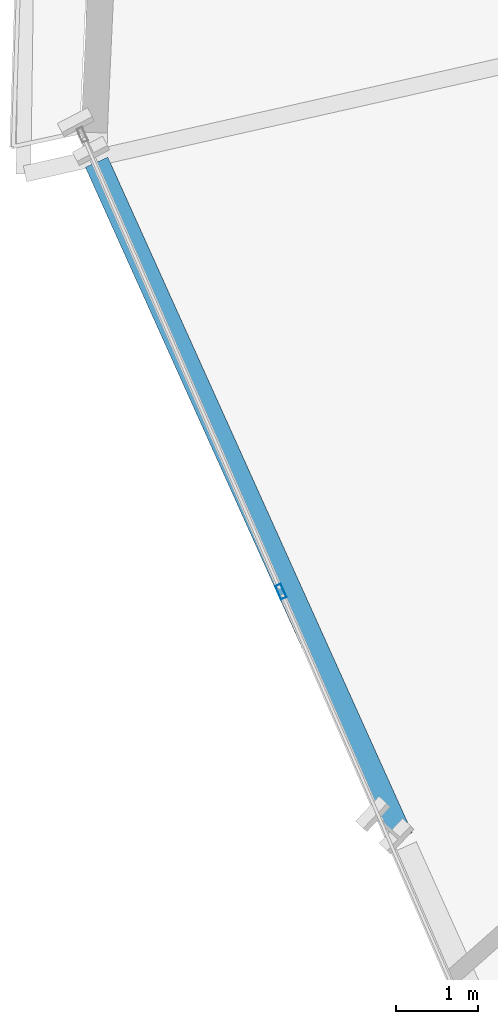
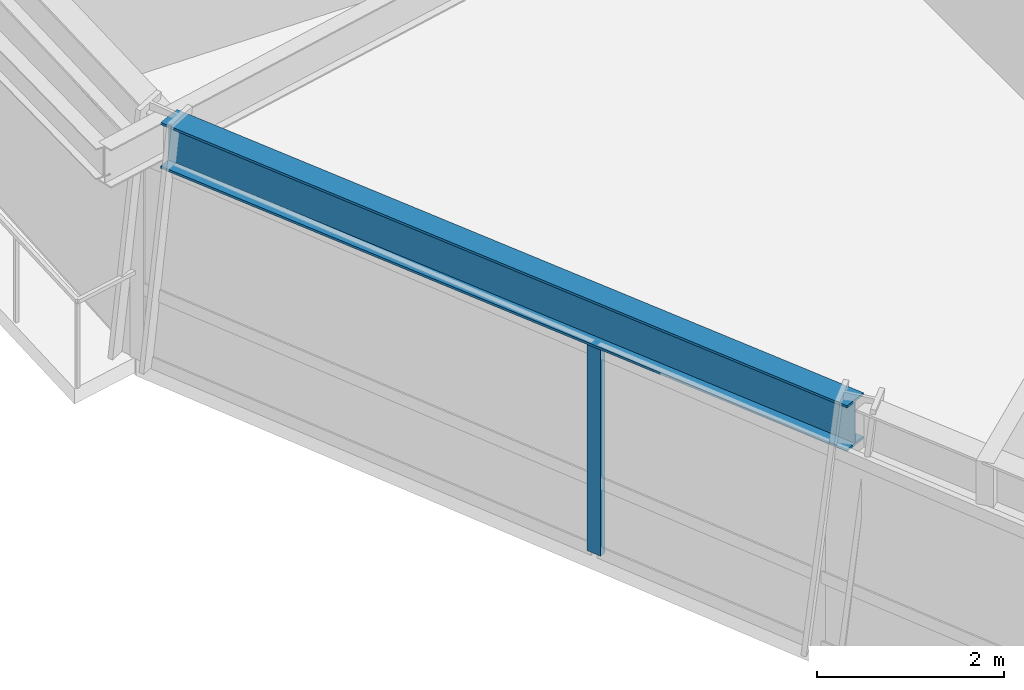
# One storey, part 4 of 19: 1 beam, 1 member, 1 element without a shape of its own.
"""IFC4 building model written with IfcOpenShell, lengths in metres."""

import ifcopenshell
import ifcopenshell.guid

model = None  # the IFC model being written
_history = None  # IfcOwnerHistory: only IFC2X3 demands one
_inside = {}  # id of a spatial element -> (the spatial element, [elements in it])
_under = {}  # id of a project, library or spatial element -> (it, [spatial elements below it])
_declared = {}  # id of a project -> (the project, [libraries it declares])
_typed = {}  # id of a type object -> (the type object, [elements of that type])
_made_of = {}  # id of a material, layer set ... -> (it, [elements and type objects made of it])


def new_model(schema):
    """Start an empty IFC model of exactly this schema.

    Asked for "IFC4X3", IfcOpenShell would pick the latest addendum, in which some entities
    have other attributes; the version numbers below select the first issue.
    IFC2X3 requires an IfcOwnerHistory on every rooted entity: one is made here for all.
    """
    global model, _history
    if schema == "IFC4X3":
        model = ifcopenshell.file(schema_version=(4, 3, 0, 0))
    else:
        model = ifcopenshell.file(schema=schema)
    _inside.clear()
    _under.clear()
    _declared.clear()
    _typed.clear()
    _made_of.clear()
    _history = None
    if model.schema == "IFC2X3":
        org = make("IfcOrganization", Name="unknown")
        user = make(
            "IfcPersonAndOrganization",
            ThePerson=make("IfcPerson", FamilyName="unknown"),
            TheOrganization=org,
        )
        app = make(
            "IfcApplication",
            ApplicationDeveloper=org,
            Version="unknown",
            ApplicationFullName="unknown",
            ApplicationIdentifier="unknown",
        )
        _history = make(
            "IfcOwnerHistory",
            OwningUser=user,
            OwningApplication=app,
            ChangeAction="ADDED",
            CreationDate=0,
        )
    return model


def make(cls, **values):
    """One entity of the class cls with the attributes given. An attribute that is None is left unset."""
    return model.create_entity(
        cls, **{name: value for name, value in values.items() if value is not None}
    )


def rooted(cls, **values):
    """An entity with a GlobalId (a new one), such as an element, a storey or a relation."""
    return make(cls, GlobalId=ifcopenshell.guid.new(), OwnerHistory=_history, **values)


def si_unit(unit_type, name, prefix=None):
    """IfcSIUnit, for example si_unit("LENGTHUNIT", "METRE", prefix="MILLI")."""
    return make("IfcSIUnit", UnitType=unit_type, Prefix=prefix, Name=name)


def assignment(units):
    """IfcUnitAssignment: the units of a project."""
    return None if units is None else make("IfcUnitAssignment", Units=units)


def point(xyz):
    """IfcCartesianPoint."""
    return None if xyz is None else make("IfcCartesianPoint", Coordinates=xyz)


def direction(xyz):
    """IfcDirection."""
    return None if xyz is None else make("IfcDirection", DirectionRatios=xyz)


def frame(location, z_axis=None, x_axis=None):
    """IfcAxis2Placement3D, a coordinate frame: its origin and axes. An axis left out is left unset."""
    return make(
        "IfcAxis2Placement3D",
        Location=point(location),
        Axis=direction(z_axis),
        RefDirection=direction(x_axis),
    )


def frame_2d(location, x_axis=None):
    """IfcAxis2Placement2D, a coordinate frame in the plane: its origin and x axis."""
    return make(
        "IfcAxis2Placement2D", Location=point(location), RefDirection=direction(x_axis)
    )


def origin():
    """The frame at (0, 0, 0) with its axes left unset."""
    return frame((0.0, 0.0, 0.0))


def origin_2d():
    """The frame at (0, 0) in the plane with its x axis left unset."""
    return frame_2d((0.0, 0.0))


def place(relative_to, where):
    """IfcLocalPlacement: puts the frame where relative to a parent placement (None: the world)."""
    return make(
        "IfcLocalPlacement", PlacementRelTo=relative_to, RelativePlacement=where
    )


def context(
    kind, dimensions, precision=None, world=None, true_north=None, identifier=None
):
    """IfcGeometricRepresentationContext, for example the 3D "Model" context."""
    return make(
        "IfcGeometricRepresentationContext",
        ContextIdentifier=identifier,
        ContextType=kind,
        CoordinateSpaceDimension=dimensions,
        Precision=precision,
        WorldCoordinateSystem=world,
        TrueNorth=true_north,
    )


def subcontext(parent, identifier, kind, view, scale=None):
    """IfcGeometricRepresentationSubContext, for example "Body" below "Model"."""
    return make(
        "IfcGeometricRepresentationSubContext",
        ContextIdentifier=identifier,
        ContextType=kind,
        ParentContext=parent,
        TargetScale=scale,
        TargetView=view,
    )


def project(units=None, contexts=None):
    """IfcProject with its units and contexts."""
    return rooted(
        "IfcProject",
        Name="project",
        RepresentationContexts=contexts,
        UnitsInContext=assignment(units),
    )


def spatial(cls, under=None, at=None, **own):
    """A site, building, storey or space (cls), placed at a placement, below another one or the project."""
    s = rooted(cls, ObjectPlacement=at, **own)
    if under is not None:
        _under.setdefault(under.id(), (under, []))[1].append(s)
    return s


def profile(cls, at=None, kind="AREA", **sizes):
    """A parametric profile (cls). Its sizes go by their IFC names, for example OverallWidth=200.0."""
    return make(cls, ProfileType=kind, Position=at, **sizes)


def hollow_rectangle(**sizes):
    """IfcRectangleHollowProfileDef."""
    return profile("IfcRectangleHollowProfileDef", **sizes)


def i_section(**sizes):
    """IfcIShapeProfileDef."""
    return profile("IfcIShapeProfileDef", **sizes)


def extrude(swept, where, along, depth):
    """IfcExtrudedAreaSolid: the profile swept, set in the frame where, extruded along a direction by depth."""
    return make(
        "IfcExtrudedAreaSolid",
        SweptArea=swept,
        Position=where,
        ExtrudedDirection=direction(along),
        Depth=depth,
    )


def shape(context_of_items, identifier, shape_type, items):
    """IfcShapeRepresentation: the items that make up one representation, for example the "Body"."""
    return make(
        "IfcShapeRepresentation",
        ContextOfItems=context_of_items,
        RepresentationIdentifier=identifier,
        RepresentationType=shape_type,
        Items=items,
    )


def source(mapping_origin, context_of_items, identifier, shape_type, items):
    """IfcRepresentationMap: a shape defined once, which mapped items show again and again."""
    return make(
        "IfcRepresentationMap",
        MappingOrigin=mapping_origin,
        MappedRepresentation=shape(context_of_items, identifier, shape_type, items),
    )


def transform(
    local_origin,
    x_axis=None,
    y_axis=None,
    z_axis=None,
    scale=None,
    scale2=None,
    scale3=None,
    uniform=True,
):
    """IfcCartesianTransformationOperator3D, or its non-uniform kind. x_axis, y_axis, z_axis: its Axis1, 2, 3."""
    if uniform:
        return make(
            "IfcCartesianTransformationOperator3D",
            Axis1=direction(x_axis),
            Axis2=direction(y_axis),
            LocalOrigin=point(local_origin),
            Scale=scale,
            Axis3=direction(z_axis),
        )
    return make(
        "IfcCartesianTransformationOperator3DnonUniform",
        Axis1=direction(x_axis),
        Axis2=direction(y_axis),
        LocalOrigin=point(local_origin),
        Scale=scale,
        Axis3=direction(z_axis),
        Scale2=scale2,
        Scale3=scale3,
    )


def mapped(mapping_source, mapping_target):
    """IfcMappedItem: shows the shape of a source again, moved by a transform."""
    return make(
        "IfcMappedItem", MappingSource=mapping_source, MappingTarget=mapping_target
    )


def material(Name=None, Category=None):
    """IfcMaterial."""
    return make("IfcMaterial", Name=Name, Category=Category)


def material_profile(
    of_material, cross_section, Name=None, Category=None, Priority=None
):
    """IfcMaterialProfile: a cross section and its material."""
    return make(
        "IfcMaterialProfile",
        Name=Name,
        Material=of_material,
        Profile=cross_section,
        Priority=Priority,
        Category=Category,
    )


def profile_set(profiles, Name=None, composite=None):
    """IfcMaterialProfileSet."""
    return make(
        "IfcMaterialProfileSet",
        Name=Name,
        MaterialProfiles=profiles,
        CompositeProfile=composite,
    )


def made_of(thing, what):
    """Note that an element or type object is made of a material, layer set ...; save() writes the relation."""
    if what is not None:
        _made_of.setdefault(what.id(), (what, []))[1].append(thing)
    return thing


def type_object(cls, material=None, **own):
    """A type object (cls), such as IfcWallType, which elements share."""
    return made_of(rooted(cls, **own), material)


def element(
    cls,
    number,
    at=None,
    inside=None,
    cuts=None,
    type_object=None,
    material=None,
    context=None,
    identifier="Body",
    shape_type=None,
    held_by="IfcProductDefinitionShape",
    body=None,
    shapes=None,
    **own,
):
    """One element of the class cls, such as IfcWall. Its Tag is "e" and its number.

    at: its placement. inside: the storey or other place that contains it. cuts: it is an
    opening in that element (IfcRelVoidsElement). A single representation is given by context,
    identifier, shape_type and body (its items); several are given by shapes. held_by: the class
    of the entity that holds the representations. save() writes the other relations.
    """
    e = rooted(cls, Tag="e%d" % number, ObjectPlacement=at, **own)
    if body is not None:
        shapes = [shape(context, identifier, shape_type, body)]
    if shapes is not None:
        e.Representation = make(held_by, Representations=shapes)
    if inside is not None:
        _inside.setdefault(inside.id(), (inside, []))[1].append(e)
    if cuts is not None:
        rooted(
            "IfcRelVoidsElement", RelatingBuildingElement=cuts, RelatedOpeningElement=e
        )
    if type_object is not None:
        _typed.setdefault(type_object.id(), (type_object, []))[1].append(e)
    return made_of(e, material)


def aggregate(whole, parts):
    """IfcRelAggregates: a whole, such as a stair, and the parts it consists of."""
    return rooted("IfcRelAggregates", RelatingObject=whole, RelatedObjects=parts)


def save(model, path):
    """Write the relations noted so far, then the file.

    IfcRelAggregates (storeys below a building ...), IfcRelContainedInSpatialStructure (elements
    in a storey), IfcRelDefinesByType, IfcRelAssociatesMaterial and IfcRelDeclares: one each for
    every whole, place, type object, material and project.
    """
    for whole, parts in _under.values():
        aggregate(whole, parts)
    for where, things in _inside.values():
        rooted(
            "IfcRelContainedInSpatialStructure",
            RelatedElements=things,
            RelatingStructure=where,
        )
    for kind, things in _typed.values():
        rooted("IfcRelDefinesByType", RelatedObjects=things, RelatingType=kind)
    for what, things in _made_of.values():
        rooted("IfcRelAssociatesMaterial", RelatedObjects=things, RelatingMaterial=what)
    for by, libraries in _declared.values():
        rooted("IfcRelDeclares", RelatingContext=by, RelatedDefinitions=libraries)
    model.write(path)


model = new_model("IFC4")

# Units and contexts
model_context = context("Model", 3, precision=1e-05, world=origin(), true_north=direction((0.0, 1.0)))
body_context = subcontext(model_context, "Body", "Model", "MODEL_VIEW")
ifc_project = project(units=[si_unit("LENGTHUNIT", "METRE"), si_unit("AREAUNIT", "SQUARE_METRE"), si_unit("VOLUMEUNIT", "CUBIC_METRE"), si_unit("PLANEANGLEUNIT", "RADIAN"), si_unit("MASSUNIT", "GRAM", prefix="KILO")], contexts=[model_context])

# Site, building, storey
site_placement = place(None, origin())
site = spatial("IfcSite", under=ifc_project, at=site_placement, CompositionType="ELEMENT")
building_placement = place(site_placement, origin())
building = spatial("IfcBuilding", under=site, at=building_placement, Name="Olszyna Solenne Hotel", CompositionType="ELEMENT")
storey_placement = place(building_placement, frame((0.0, 0.0, 84.39990234375)))
storey = spatial("IfcBuildingStorey", under=building, at=storey_placement, Name="L21", CompositionType="ELEMENT", Elevation=84.39990234375)

# Beam
ifc_material_1 = material(Name="Steel S355J2", Category="steel")
ifc_material_profile_1 = material_profile(ifc_material_1, i_section(OverallWidth=0.300048828125, OverallDepth=0.60009765625, WebThickness=0.015380859375, FlangeThickness=0.030029296875, at=origin_2d()), Name="HEB 600", Category="load-bearing")
ifc_profile_set_1 = profile_set([ifc_material_profile_1], Name="Steel S355J2")
beam_type = type_object("IfcBeamType", Name="BM-S2", PredefinedType="BEAM", material=ifc_profile_set_1)
shared_shape_1 = source(origin(), body_context, "Body", "SweptSolid", [
    extrude(i_section(OverallWidth=0.300048828125, OverallDepth=0.60009765625, WebThickness=0.015380859375, FlangeThickness=0.030029296875, at=origin_2d()), origin(), (0.0, 0.0, 1.0), 9.043212890625),
])
beam_placement = place(storey_placement, frame((16.923583984375, 21.787841796875, 3.0), z_axis=(0.41083720643, -0.911708719829, 0.0), x_axis=(0.911708719829, 0.41083720643, 0.0)))
element("IfcBeam", 1, at=beam_placement, inside=storey, type_object=beam_type, Name="Perimeter spandrel beam BM-S2 B-L21-0639", PredefinedType="BEAM", context=body_context, shape_type="MappedRepresentation", body=[
    mapped(shared_shape_1, transform((0.0, 0.0, 0.0), x_axis=(1.0, 0.0, 0.0), y_axis=(0.0, 1.0, 0.0), z_axis=(0.0, 0.0, 1.0), scale=1.0)),
])

# Curtain wall, member
ifc_material_2 = material(Name="Anodised bronze aluminium", Category="aluminium")
curtain_wall_type = type_object("IfcCurtainWallType", Name="CW-SYS-3", PredefinedType="NOTDEFINED", material=ifc_material_2)
curtain_wall_placement = place(storey_placement, origin())
curtain_wall = element("IfcCurtainWall", 2, at=curtain_wall_placement, inside=storey, type_object=curtain_wall_type, Name="Unitised curtain wall CW-SYS-3 CW-L21-01", PredefinedType="NOTDEFINED")
ifc_material_profile_2 = material_profile(ifc_material_2, hollow_rectangle(XDim=0.074951171875, YDim=0.179931640625, WallThickness=0.00439453125, at=origin_2d()), Name="MULL 180x75x4.5", Category="load-bearing")
ifc_profile_set_2 = profile_set([ifc_material_profile_2], Name="Anodised bronze aluminium")
member_type = type_object("IfcMemberType", Name="CW-M2", PredefinedType="MULLION", material=ifc_profile_set_2)
shared_shape_2 = source(origin(), body_context, "Body", "SweptSolid", [
    extrude(hollow_rectangle(XDim=0.074951171875, YDim=0.179931640625, WallThickness=0.00439453125, at=origin_2d()), origin(), (0.0, 0.0, 1.0), 2.692138671875),
])
member_placement = place(storey_placement, frame((19.17333984375, 16.547607421875, 0.0), z_axis=(0.0, 0.0, 1.0), x_axis=(0.917030626795, 0.398816786909, 0.0)))
member = element("IfcMember", 3, at=member_placement, type_object=member_type, Name="Curtain-wall mullion CW-M2 CM-L21-01-02", PredefinedType="MULLION", context=body_context, shape_type="MappedRepresentation", body=[
    mapped(shared_shape_2, transform((0.0, 0.0, 0.0), x_axis=(1.0, 0.0, 0.0), y_axis=(0.0, 1.0, 0.0), z_axis=(0.0, 0.0, 1.0), scale=1.0)),
])
aggregate(curtain_wall, [member])

save(model, "model.ifc")
